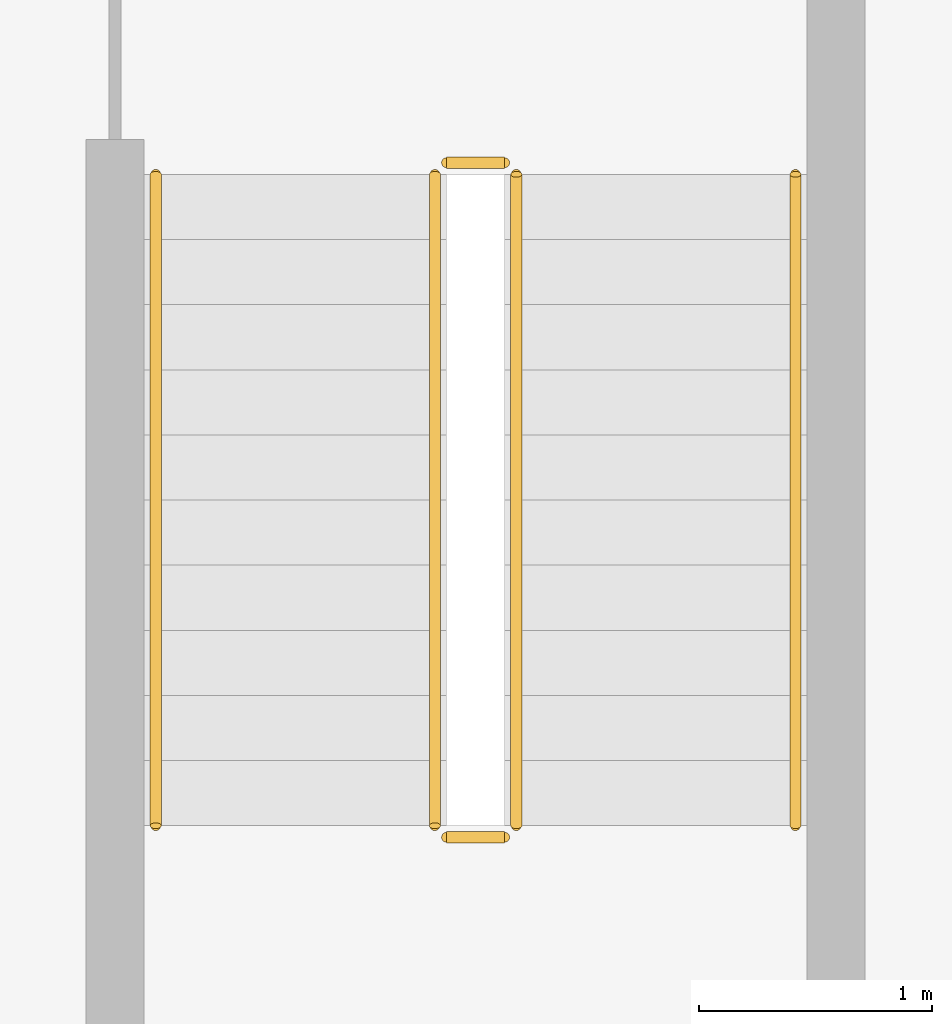
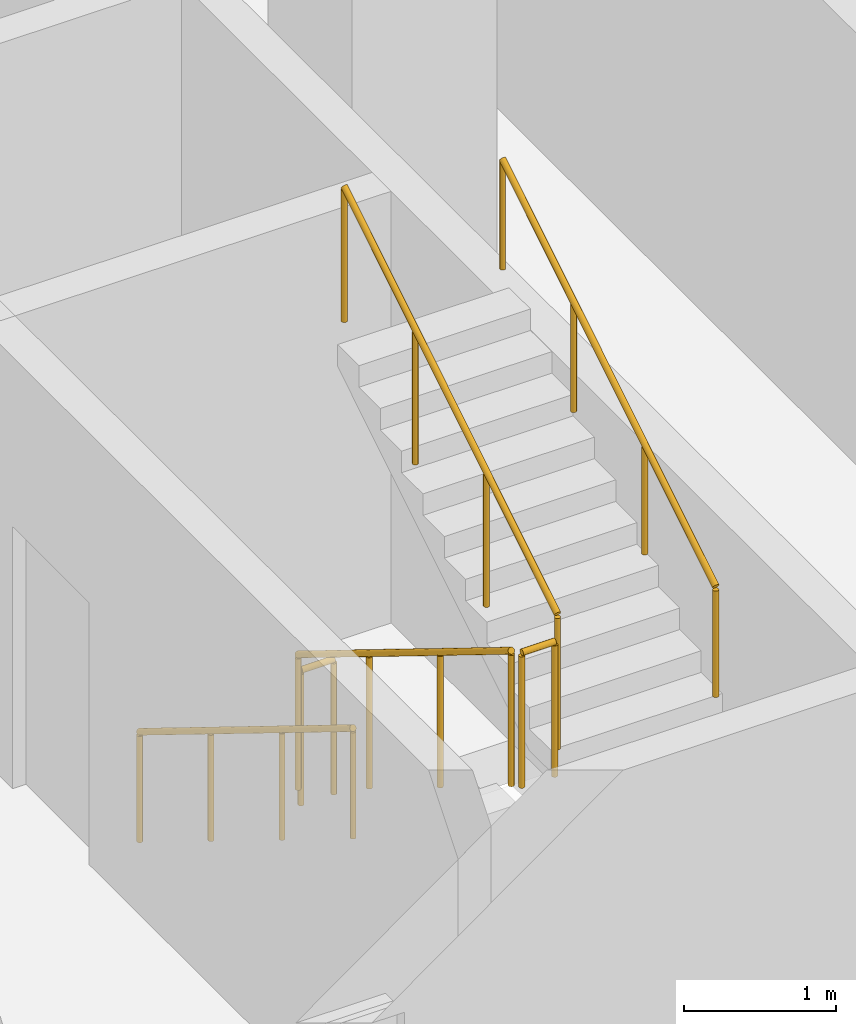
# One storey, part 26 of 30: 6 railings.
"""IFC4 building model written with IfcOpenShell, lengths in metres."""

from ifc_helpers import new_model, si_unit, direction, frame, origin, origin_2d, place, context, subcontext, project, spatial, circle, extrude, material, type_object, element, save


model = new_model("IFC4")

# Units and contexts
model_context = context("Model", 3, precision=1e-05, world=origin(), true_north=direction((0.0, 1.0)))
body_context = subcontext(model_context, "Body", "Model", "MODEL_VIEW")
ifc_project = project(units=[si_unit("LENGTHUNIT", "METRE"), si_unit("AREAUNIT", "SQUARE_METRE"), si_unit("VOLUMEUNIT", "CUBIC_METRE"), si_unit("PLANEANGLEUNIT", "RADIAN"), si_unit("MASSUNIT", "GRAM", prefix="KILO")], contexts=[model_context])

# Site, building, storey
site_placement = place(None, origin())
site = spatial("IfcSite", under=ifc_project, at=site_placement, CompositionType="ELEMENT")
building_placement = place(site_placement, origin())
building = spatial("IfcBuilding", under=site, at=building_placement, Name="Mahtab Terrace Research Tower", CompositionType="ELEMENT")
storey_placement = place(building_placement, frame((0.0, 0.0, 205.300048828125)))
storey = spatial("IfcBuildingStorey", under=building, at=storey_placement, Name="L49", CompositionType="ELEMENT", Elevation=205.300048828125)

# Railings
ifc_material = material(Name="Stainless steel AISI 304", Category="steel")
railing_type_1 = type_object("IfcRailingType", Name="Stair guard 1100", PredefinedType="GUARDRAIL", material=ifc_material)
railing_1_placement = place(storey_placement, frame((2.949951171875, -4.175048828125, 0.172607421875)))
element("IfcRailing", 1, at=railing_1_placement, inside=storey, type_object=railing_type_1, Name="L49 ST2 stair guard 1", PredefinedType="GUARDRAIL", context=body_context, shape_type="SweptSolid", body=[
    extrude(circle(Radius=0.02392578125, at=origin_2d()), frame((0.0, 0.0, 1.076171875), z_axis=(0.0, -0.851089632645, 0.525020415988), x_axis=(1.0, 0.0, 0.0)), (0.0, 0.0, 1.0), 3.2900390625),
    extrude(circle(Radius=0.02099609375, at=origin_2d()), origin(), (0.0, 0.0, 1.0), 1.052001953125),
    extrude(circle(Radius=0.02099609375, at=origin_2d()), frame((0.0, -0.933349609375, 0.57568359375)), (0.0, 0.0, 1.0), 1.052001953125),
    extrude(circle(Radius=0.02099609375, at=origin_2d()), frame((0.0, -1.86669921875, 1.151611328125)), (0.0, 0.0, 1.0), 1.052001953125),
    extrude(circle(Radius=0.02099609375, at=origin_2d()), frame((0.0, -2.800048828125, 1.727294921875)), (0.0, 0.0, 1.0), 1.052001953125),
])
railing_2_placement = place(storey_placement, frame((3.0, -7.02490234375, 1.89990234375)))
element("IfcRailing", 2, at=railing_2_placement, inside=storey, type_object=railing_type_1, Name="L49 ST2 stair guard 2", PredefinedType="GUARDRAIL", context=body_context, shape_type="SweptSolid", body=[
    extrude(circle(Radius=0.02392578125, at=origin_2d()), frame((0.0, 0.0, 1.076171875), z_axis=(1.0, 0.0, 0.0), x_axis=(0.0, 1.0, 0.0)), (0.0, 0.0, 1.0), 0.25),
    extrude(circle(Radius=0.02099609375, at=origin_2d()), origin(), (0.0, 0.0, 1.0), 1.052001953125),
    extrude(circle(Radius=0.02099609375, at=origin_2d()), frame((0.25, 0.0, 0.0)), (0.0, 0.0, 1.0), 1.052001953125),
])
railing_3_placement = place(storey_placement, frame((3.300048828125, -6.97509765625, 2.07275390625)))
element("IfcRailing", 3, at=railing_3_placement, inside=storey, type_object=railing_type_1, Name="L49 ST2 stair guard 3", PredefinedType="GUARDRAIL", context=body_context, shape_type="SweptSolid", body=[
    extrude(circle(Radius=0.02392578125, at=origin_2d()), frame((0.0, 0.0, 1.076171875), z_axis=(0.0, 0.851089632645, 0.525020415988), x_axis=(-1.0, 0.0, 0.0)), (0.0, 0.0, 1.0), 3.2900390625),
    extrude(circle(Radius=0.02099609375, at=origin_2d()), origin(), (0.0, 0.0, 1.0), 1.052001953125),
    extrude(circle(Radius=0.02099609375, at=origin_2d()), frame((0.0, 0.933349609375, 0.57568359375)), (0.0, 0.0, 1.0), 1.052001953125),
    extrude(circle(Radius=0.02099609375, at=origin_2d()), frame((0.0, 1.86669921875, 1.151611328125)), (0.0, 0.0, 1.0), 1.052001953125),
    extrude(circle(Radius=0.02099609375, at=origin_2d()), frame((0.0, 2.800048828125, 1.727294921875)), (0.0, 0.0, 1.0), 1.052001953125),
])
railing_4_placement = place(storey_placement, frame((3.0, -4.125, 0.0)))
element("IfcRailing", 4, at=railing_4_placement, inside=storey, type_object=railing_type_1, Name="L49 ST2 stair guard 4", PredefinedType="GUARDRAIL", context=body_context, shape_type="SweptSolid", body=[
    extrude(circle(Radius=0.02392578125, at=origin_2d()), frame((0.0, 0.0, 1.076171875), z_axis=(1.0, 0.0, 0.0), x_axis=(0.0, 1.0, 0.0)), (0.0, 0.0, 1.0), 0.25),
    extrude(circle(Radius=0.02099609375, at=origin_2d()), origin(), (0.0, 0.0, 1.0), 1.052001953125),
    extrude(circle(Radius=0.02099609375, at=origin_2d()), frame((0.25, 0.0, 0.0)), (0.0, 0.0, 1.0), 1.052001953125),
])
railing_type_2 = type_object("IfcRailingType", Name="Stair handrail 900", PredefinedType="HANDRAIL", material=ifc_material)
railing_5_placement = place(storey_placement, frame((1.75, -4.175048828125, 0.172607421875)))
element("IfcRailing", 5, at=railing_5_placement, inside=storey, type_object=railing_type_2, Name="L49 ST2 stair handrail 1", PredefinedType="HANDRAIL", context=body_context, shape_type="SweptSolid", body=[
    extrude(circle(Radius=0.02392578125, at=origin_2d()), frame((0.0, 0.0, 0.8759765625), z_axis=(0.0, -0.851089632645, 0.525020415988), x_axis=(1.0, 0.0, 0.0)), (0.0, 0.0, 1.0), 3.2900390625),
    extrude(circle(Radius=0.02099609375, at=origin_2d()), origin(), (0.0, 0.0, 1.0), 0.851806640625),
    extrude(circle(Radius=0.02099609375, at=origin_2d()), frame((0.0, -0.933349609375, 0.57568359375)), (0.0, 0.0, 1.0), 0.851806640625),
    extrude(circle(Radius=0.02099609375, at=origin_2d()), frame((0.0, -1.86669921875, 1.151611328125)), (0.0, 0.0, 1.0), 0.851806640625),
    extrude(circle(Radius=0.02099609375, at=origin_2d()), frame((0.0, -2.800048828125, 1.727294921875)), (0.0, 0.0, 1.0), 0.851806640625),
])
railing_6_placement = place(storey_placement, frame((4.5, -6.97509765625, 2.07275390625)))
element("IfcRailing", 6, at=railing_6_placement, inside=storey, type_object=railing_type_2, Name="L49 ST2 stair handrail 2", PredefinedType="HANDRAIL", context=body_context, shape_type="SweptSolid", body=[
    extrude(circle(Radius=0.02392578125, at=origin_2d()), frame((0.0, 0.0, 0.8759765625), z_axis=(0.0, 0.851089632645, 0.525020415988), x_axis=(-1.0, 0.0, 0.0)), (0.0, 0.0, 1.0), 3.2900390625),
    extrude(circle(Radius=0.02099609375, at=origin_2d()), origin(), (0.0, 0.0, 1.0), 0.851806640625),
    extrude(circle(Radius=0.02099609375, at=origin_2d()), frame((0.0, 0.933349609375, 0.57568359375)), (0.0, 0.0, 1.0), 0.851806640625),
    extrude(circle(Radius=0.02099609375, at=origin_2d()), frame((0.0, 1.86669921875, 1.151611328125)), (0.0, 0.0, 1.0), 0.851806640625),
    extrude(circle(Radius=0.02099609375, at=origin_2d()), frame((0.0, 2.800048828125, 1.727294921875)), (0.0, 0.0, 1.0), 0.851806640625),
])

save(model, "model.ifc")
